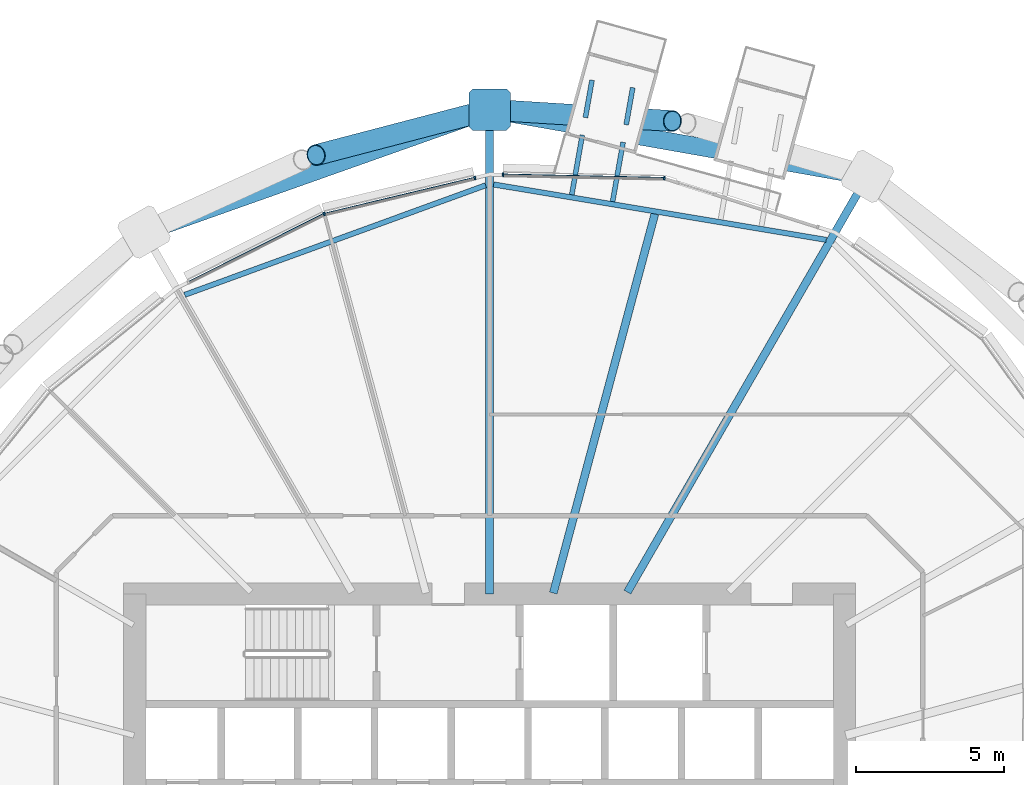
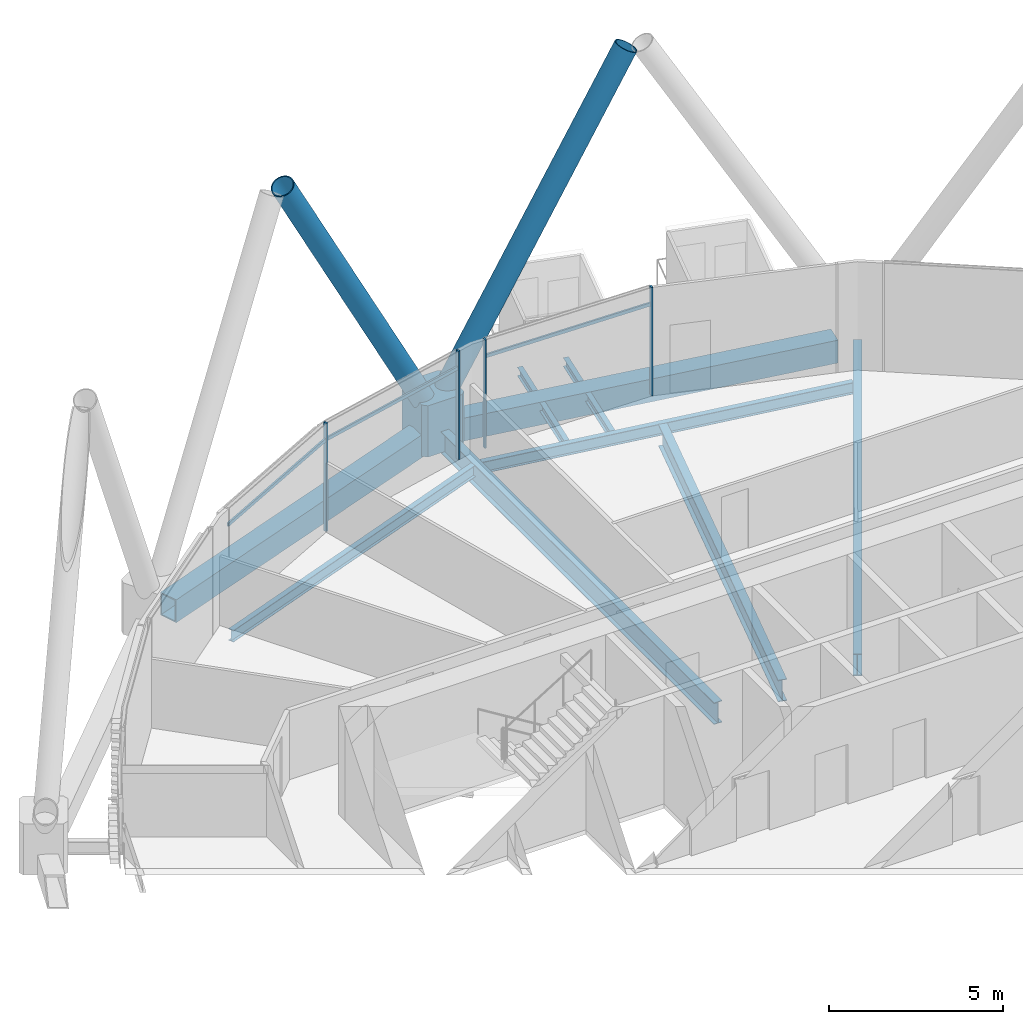
# One storey, part 19 of 38: 11 beams, 10 members, 1 element without a shape of its own.
"""IFC4 building model written with IfcOpenShell, lengths in metres."""

from ifc_helpers import new_model, si_unit, direction, frame, origin, origin_2d, place, context, subcontext, project, spatial, polyline, rectangle, hollow_rectangle, hollow_circle, i_section, outline, extrude, material, material_profile, profile_set, type_object, element, aggregate, save


model = new_model("IFC4")

# Units and contexts
model_context = context("Model", 3, precision=1e-05, world=origin(), true_north=direction((0.0, 1.0)))
body_context = subcontext(model_context, "Body", "Model", "MODEL_VIEW")
ifc_project = project(units=[si_unit("LENGTHUNIT", "METRE"), si_unit("AREAUNIT", "SQUARE_METRE"), si_unit("VOLUMEUNIT", "CUBIC_METRE"), si_unit("PLANEANGLEUNIT", "RADIAN"), si_unit("MASSUNIT", "GRAM", prefix="KILO")], contexts=[model_context])

# Site, building, storey
site_placement = place(None, origin())
site = spatial("IfcSite", under=ifc_project, at=site_placement, CompositionType="ELEMENT")
building_placement = place(site_placement, origin())
building = spatial("IfcBuilding", under=site, at=building_placement, Name="Rimbun Link Towers", CompositionType="ELEMENT")
storey_placement = place(building_placement, frame((0.0, 0.0, 93.0)))
storey = spatial("IfcBuildingStorey", under=building, at=storey_placement, Name="L22", CompositionType="ELEMENT", Elevation=93.0)

# Curtain wall, members
ifc_material_1 = material(Name="Aluminium 6063-T6 and low-iron glass", Category="aluminium")
curtain_wall_type = type_object("IfcCurtainWallType", Name="CW1-Z2 unitised vision wall (zone 2)", PredefinedType="NOTDEFINED", material=ifc_material_1)
curtain_wall_placement = place(storey_placement, origin())
curtain_wall = element("IfcCurtainWall", 1, at=curtain_wall_placement, inside=storey, type_object=curtain_wall_type, Name="CW1 L22 T2", PredefinedType="NOTDEFINED")
ifc_material_2 = material(Name="Aluminium 6063-T6", Category="aluminium")
ifc_material_profile_1 = material_profile(ifc_material_2, rectangle(XDim=0.1201171875, YDim=0.06005859375, at=origin_2d()), Name="MULLION 60X120")
ifc_profile_set_1 = profile_set([ifc_material_profile_1], Name="Aluminium 6063-T6")
member_type_1 = type_object("IfcMemberType", Name="CW1 mullion 60X120", PredefinedType="MULLION", material=ifc_profile_set_1)
member_1_placement = place(storey_placement, frame((37.656005859375, 22.06396484375, 0.0), z_axis=(0.0, 0.0, 1.0), x_axis=(0.16374422533, 0.986502827503, 0.0)))
member_1 = element("IfcMember", 2, at=member_1_placement, type_object=member_type_1, Name="CW1 mullion", PredefinedType="MULLION", context=body_context, shape_type="SweptSolid", body=[
    extrude(rectangle(XDim=0.1201171875, YDim=0.06005859375, at=origin_2d()), origin(), (0.0, 0.0, 1.0), 3.800048828125),
])
member_2_placement = place(storey_placement, frame((32.201171875, 22.179443359375, 0.0), z_axis=(0.0, 0.0, 1.0), x_axis=(0.021059742681, 0.999778219026, 0.0)))
member_2 = element("IfcMember", 3, at=member_2_placement, type_object=member_type_1, Name="CW1 mullion", PredefinedType="MULLION", context=body_context, shape_type="SweptSolid", body=[
    extrude(rectangle(XDim=0.1201171875, YDim=0.06005859375, at=origin_2d()), origin(), (0.0, 0.0, 1.0), 3.800048828125),
])
member_3_placement = place(storey_placement, frame((26.156982421875, 20.8525390625, 0.0), z_axis=(0.0, 0.0, 1.0), x_axis=(-0.34296997, 0.939346368321, 0.0)))
member_3 = element("IfcMember", 4, at=member_3_placement, type_object=member_type_1, Name="CW1 mullion", PredefinedType="MULLION", context=body_context, shape_type="SweptSolid", body=[
    extrude(rectangle(XDim=0.1201171875, YDim=0.06005859375, at=origin_2d()), origin(), (0.0, 0.0, 1.0), 3.800048828125),
])
member_4_placement = place(storey_placement, frame((31.249755859375, 22.071044921875, 0.0), z_axis=(0.0, 0.0, 1.0), x_axis=(-0.232601207201, 0.972572197016, 0.0)))
member_4 = element("IfcMember", 5, at=member_4_placement, type_object=member_type_1, Name="CW1 mullion", PredefinedType="MULLION", context=body_context, shape_type="SweptSolid", body=[
    extrude(rectangle(XDim=0.1201171875, YDim=0.06005859375, at=origin_2d()), origin(), (0.0, 0.0, 1.0), 3.800048828125),
])
ifc_material_3 = material(Name="Aluminium 6063-T6", Category="aluminium")
ifc_material_profile_2 = material_profile(ifc_material_3, rectangle(XDim=0.06005859375, YDim=0.1201171875, at=origin_2d()), Name="TRANSOM 60X120")
ifc_profile_set_2 = profile_set([ifc_material_profile_2], Name="Aluminium 6063-T6")
member_type_2 = type_object("IfcMemberType", Name="CW1 transom 60X120", PredefinedType="USERDEFINED", material=ifc_profile_set_2)
member_5_placement = place(storey_placement, frame((32.231201171875, 22.1767578125, 3.199951171875), z_axis=(0.999778908443, -0.021026988193, 0.0), x_axis=(0.021026988193, 0.999778908443, 0.0)))
member_5 = element("IfcMember", 6, at=member_5_placement, type_object=member_type_2, Name="CW1 transom", ObjectType="TRANSOM", PredefinedType="USERDEFINED", context=body_context, shape_type="SweptSolid", body=[
    extrude(rectangle(XDim=0.06005859375, YDim=0.1201171875, at=origin_2d()), origin(), (0.0, 0.0, 1.0), 5.387451171875),
])
member_6_placement = place(storey_placement, frame((26.193359375, 20.859619140625, 3.199951171875), z_axis=(0.972572620935, 0.232599434667, 0.0), x_axis=(-0.232599434667, 0.972572620935, 0.0)))
member_6 = element("IfcMember", 7, at=member_6_placement, type_object=member_type_2, Name="CW1 transom", ObjectType="TRANSOM", PredefinedType="USERDEFINED", context=body_context, shape_type="SweptSolid", body=[
    extrude(rectangle(XDim=0.06005859375, YDim=0.1201171875, at=origin_2d()), origin(), (0.0, 0.0, 1.0), 5.16943359375),
])
member_7_placement = place(storey_placement, frame((21.592529296875, 18.55859375, 3.199951171875), z_axis=(0.893636331948, 0.448791829495, 0.0), x_axis=(-0.448791829495, 0.893636331948, 0.0)))
member_7 = element("IfcMember", 8, at=member_7_placement, type_object=member_type_2, Name="CW1 transom", ObjectType="TRANSOM", PredefinedType="USERDEFINED", context=body_context, shape_type="SweptSolid", body=[
    extrude(rectangle(XDim=0.06005859375, YDim=0.1201171875, at=origin_2d()), origin(), (0.0, 0.0, 1.0), 5.07177734375),
])
aggregate(curtain_wall, [member_1, member_2, member_3, member_4, member_5, member_6, member_7])

# Beams
ifc_material_4 = material(Name="Steel S355J2", Category="steel")
ifc_material_profile_3 = material_profile(ifc_material_4, i_section(OverallWidth=0.1650390625, OverallDepth=0.303466796875, WebThickness=0.006103515625, FlangeThickness=0.01025390625, at=origin_2d()), Name="UB 305x165x40")
ifc_profile_set_3 = profile_set([ifc_material_profile_3], Name="Steel S355J2")
beam_type_1 = type_object("IfcBeamType", Name="Capsule bracket beam UB 305x165x40", PredefinedType="BEAM", material=ifc_profile_set_3)
beam_1_placement = place(storey_placement, frame((34.527099609375, 21.499755859375, -0.311767578125), z_axis=(0.173900687473, 0.98476319534, 0.0), x_axis=(-0.98476319534, 0.173900687473, 0.0)))
element("IfcBeam", 9, at=beam_1_placement, inside=storey, type_object=beam_type_1, Name="Capsule D222.01 bracket beam 1", PredefinedType="BEAM", context=body_context, shape_type="SweptSolid", body=[
    extrude(i_section(OverallWidth=0.1650390625, OverallDepth=0.303466796875, WebThickness=0.006103515625, FlangeThickness=0.01025390625, at=origin_2d()), origin(), (0.0, 0.0, 1.0), 2.052490234375),
])
beam_2_placement = place(storey_placement, frame((34.98828125, 24.112060546875, -0.311767578125), z_axis=(0.173959052668, 0.984752886766, 0.0), x_axis=(-0.984752886766, 0.173959052668, 0.0)))
element("IfcBeam", 10, at=beam_2_placement, inside=storey, type_object=beam_type_1, Name="Capsule D222.01 bracket beam 2", PredefinedType="BEAM", context=body_context, shape_type="SweptSolid", body=[
    extrude(i_section(OverallWidth=0.1650390625, OverallDepth=0.303466796875, WebThickness=0.006103515625, FlangeThickness=0.01025390625, at=origin_2d()), origin(), (0.0, 0.0, 1.0), 1.28271484375),
])
beam_3_placement = place(storey_placement, frame((35.908203125, 21.269775390625, -0.311767578125), z_axis=(0.173867305246, 0.98476908977, 0.0), x_axis=(-0.98476908977, 0.173867305246, 0.0)))
element("IfcBeam", 11, at=beam_3_placement, inside=storey, type_object=beam_type_1, Name="Capsule D222.01 bracket beam 3", PredefinedType="BEAM", context=body_context, shape_type="SweptSolid", body=[
    extrude(i_section(OverallWidth=0.1650390625, OverallDepth=0.303466796875, WebThickness=0.006103515625, FlangeThickness=0.01025390625, at=origin_2d()), origin(), (0.0, 0.0, 1.0), 2.038818359375),
])
beam_4_placement = place(storey_placement, frame((36.366943359375, 23.86865234375, -0.311767578125), z_axis=(0.173960201726, 0.984752683782, 0.0), x_axis=(-0.984752683782, 0.173960201726, 0.0)))
element("IfcBeam", 12, at=beam_4_placement, inside=storey, type_object=beam_type_1, Name="Capsule D222.01 bracket beam 4", PredefinedType="BEAM", context=body_context, shape_type="SweptSolid", body=[
    extrude(i_section(OverallWidth=0.1650390625, OverallDepth=0.303466796875, WebThickness=0.006103515625, FlangeThickness=0.01025390625, at=origin_2d()), origin(), (0.0, 0.0, 1.0), 1.2744140625),
])

# Members
ifc_material_5 = material(Name="Steel S460NH", Category="steel")
ifc_material_profile_4 = material_profile(ifc_material_5, hollow_circle(Radius=0.355712890625, WallThickness=0.031982421875, at=origin_2d()), Name="Diagrid diagonal CHS 711x32")
ifc_profile_set_4 = profile_set([ifc_material_profile_4], Name="Steel S460NH")
member_type_3 = type_object("IfcMemberType", Name="Diagrid diagonal CHS 711x32", PredefinedType="BRACE", material=ifc_profile_set_4)
member_8_placement = place(storey_placement, frame((31.995361328125, 24.36376953125, 0.435302734375), z_axis=(0.490777024957, -0.030486807129, 0.870751667449), x_axis=(0.061999958429, 0.998076151982, 0.0)))
element("IfcMember", 13, at=member_8_placement, inside=storey, type_object=member_type_3, Name="Diagrid diagonal T2 L22-L25 03a", PredefinedType="BRACE", context=body_context, shape_type="SweptSolid", body=[
    extrude(hollow_circle(Radius=0.355712890625, WallThickness=0.031982421875, at=origin_2d()), origin(), (0.0, 0.0, 1.0), 12.09228515625),
])
member_9_placement = place(storey_placement, frame((31.515625, 24.317626953125, 0.4375), z_axis=(-0.468494566533, -0.122542461997, 0.874926388982), x_axis=(0.253053090902, -0.96745239324, 0.0)))
element("IfcMember", 14, at=member_9_placement, inside=storey, type_object=member_type_3, Name="Diagrid diagonal T2 L22-L25 03b", PredefinedType="BRACE", context=body_context, shape_type="SweptSolid", body=[
    extrude(hollow_circle(Radius=0.355712890625, WallThickness=0.031982421875, at=origin_2d()), origin(), (0.0, 0.0, 1.0), 12.029541015625),
])
ifc_material_6 = material(Name="Cast steel G20Mn5+QT, Rp0.2 300 MPa", Category="steel")
ifc_material_profile_5 = material_profile(ifc_material_6, outline(polyline([(0.699951171875, -0.570068359375), (0.699951171875, 0.570068359375), (0.570068359375, 0.699951171875), (-0.570068359375, 0.699951171875), (-0.699951171875, 0.570068359375), (-0.699951171875, -0.570068359375), (-0.570068359375, -0.699951171875), (0.570068359375, -0.699951171875), (0.699951171875, -0.570068359375)])), Name="NODE 1400x1400")
ifc_profile_set_5 = profile_set([ifc_material_profile_5], Name="Cast steel G20Mn5+QT, Rp0.2 300 MPa")
member_type_4 = type_object("IfcMemberType", Name="Diagrid node cast 1400", PredefinedType="USERDEFINED", material=ifc_profile_set_5)
member_10_placement = place(storey_placement, frame((31.75, 24.37890625, -0.89990234375), z_axis=(0.0, 0.0, 1.0), x_axis=(0.0, 1.0, 0.0)))
element("IfcMember", 15, at=member_10_placement, inside=storey, type_object=member_type_4, Name="Diagrid node L22 03", ObjectType="Diagrid node", PredefinedType="USERDEFINED", context=body_context, shape_type="SweptSolid", body=[
    extrude(outline(polyline([(0.699951171875, -0.570068359375), (0.699951171875, 0.570068359375), (0.570068359375, 0.699951171875), (-0.570068359375, 0.699951171875), (-0.699951171875, 0.570068359375), (-0.699951171875, -0.570068359375), (-0.570068359375, -0.699951171875), (0.570068359375, -0.699951171875), (0.699951171875, -0.570068359375)])), origin(), (0.0, 0.0, 1.0), 1.7998046875),
])

# Beams
ifc_material_7 = material(Name="Steel S355J2", Category="steel")
ifc_material_profile_6 = material_profile(ifc_material_7, hollow_rectangle(XDim=0.60009765625, YDim=0.800048828125, WallThickness=0.0400390625, at=origin_2d()), Name="Exoskeleton ring girder BOX 600x800x40")
ifc_profile_set_6 = profile_set([ifc_material_profile_6], Name="Steel S355J2")
beam_type_2 = type_object("IfcBeamType", Name="Exoskeleton ring girder BOX 600x800x40", PredefinedType="BEAM", material=ifc_profile_set_6)
beam_5_placement = place(storey_placement, frame((43.833984375, 22.24560546875, -0.56005859375), z_axis=(-0.984770599089, 0.173858756379, 0.0), x_axis=(-0.173858756379, -0.984770599089, 0.0)))
element("IfcBeam", 16, at=beam_5_placement, inside=storey, type_object=beam_type_2, Name="Exoskeleton ring girder L22 00", PredefinedType="BEAM", context=body_context, shape_type="SweptSolid", body=[
    extrude(hollow_rectangle(XDim=0.60009765625, YDim=0.800048828125, WallThickness=0.0400390625, at=origin_2d()), origin(), (0.0, 0.0, 1.0), 11.571044921875),
])
beam_6_placement = place(storey_placement, frame((31.090087890625, 24.145263671875, -0.56005859375), z_axis=(-0.942614706943, -0.333882485697, 0.0), x_axis=(0.333882485697, -0.942614706943, 0.0)))
element("IfcBeam", 17, at=beam_6_placement, inside=storey, type_object=beam_type_2, Name="Exoskeleton ring girder L22 01", PredefinedType="BEAM", context=body_context, shape_type="SweptSolid", body=[
    extrude(hollow_rectangle(XDim=0.60009765625, YDim=0.800048828125, WallThickness=0.0400390625, at=origin_2d()), origin(), (0.0, 0.0, 1.0), 10.996826171875),
])
ifc_material_8 = material(Name="Steel S355J2", Category="steel")
ifc_material_profile_7 = material_profile(ifc_material_8, i_section(OverallWidth=0.177978515625, OverallDepth=0.406494140625, WebThickness=0.0078125, FlangeThickness=0.0126953125, at=origin_2d()), Name="UB 406x178x60")
ifc_profile_set_7 = profile_set([ifc_material_profile_7], Name="Steel S355J2")
beam_type_3 = type_object("IfcBeamType", Name="UB 406x178x60", PredefinedType="BEAM", material=ifc_profile_set_7)
beam_7_placement = place(storey_placement, frame((43.12890625, 19.977294921875, -0.36328125), z_axis=(-0.986419380736, 0.164246172888, 0.0), x_axis=(-0.164246172888, -0.986419380736, 0.0)))
element("IfcBeam", 18, at=beam_7_placement, inside=storey, type_object=beam_type_3, Name="Edge beam T2 L22 01-03", PredefinedType="BEAM", context=body_context, shape_type="SweptSolid", body=[
    extrude(i_section(OverallWidth=0.177978515625, OverallDepth=0.406494140625, WebThickness=0.0078125, FlangeThickness=0.0126953125, at=origin_2d()), origin(), (0.0, 0.0, 1.0), 11.3994140625),
])
beam_8_placement = place(storey_placement, frame((31.61572265625, 21.822998046875, -0.36328125), z_axis=(-0.939628792314, -0.342195459722, 0.0), x_axis=(0.342195459722, -0.939628792314, 0.0)))
element("IfcBeam", 19, at=beam_8_placement, inside=storey, type_object=beam_type_3, Name="Edge beam T2 L22 03-05", PredefinedType="BEAM", context=body_context, shape_type="SweptSolid", body=[
    extrude(i_section(OverallWidth=0.177978515625, OverallDepth=0.406494140625, WebThickness=0.0078125, FlangeThickness=0.0126953125, at=origin_2d()), origin(), (0.0, 0.0, 1.0), 10.83154296875),
])
ifc_material_9 = material(Name="Steel S355J2", Category="steel")
ifc_material_profile_8 = material_profile(ifc_material_9, i_section(OverallWidth=0.2666015625, OverallDepth=0.76220703125, WebThickness=0.014404296875, FlangeThickness=0.021484375, at=origin_2d()), Name="UB 762x267x173")
ifc_profile_set_8 = profile_set([ifc_material_profile_8], Name="Steel S355J2")
beam_type_4 = type_object("IfcBeamType", Name="UB 762x267x173", PredefinedType="BEAM", material=ifc_profile_set_8)
beam_9_placement = place(storey_placement, frame((36.40771484375, 8.0673828125, -0.541015625), z_axis=(0.499996511319, 0.866027417966, 0.0), x_axis=(-0.866027417966, 0.499996511319, 0.0)))
element("IfcBeam", 20, at=beam_9_placement, inside=storey, type_object=beam_type_4, Name="Radial beam T2 L22 01", PredefinedType="BEAM", context=body_context, shape_type="SweptSolid", body=[
    extrude(i_section(OverallWidth=0.2666015625, OverallDepth=0.76220703125, WebThickness=0.014404296875, FlangeThickness=0.021484375, at=origin_2d()), origin(), (0.0, 0.0, 1.0), 15.73095703125),
])
beam_10_placement = place(storey_placement, frame((33.903076171875, 8.035400390625, -0.541015625), z_axis=(0.258820400429, 0.965925463129, 0.0), x_axis=(-0.965925463129, 0.258820400429, 0.0)))
element("IfcBeam", 21, at=beam_10_placement, inside=storey, type_object=beam_type_4, Name="Radial beam T2 L22 02", PredefinedType="BEAM", context=body_context, shape_type="SweptSolid", body=[
    extrude(i_section(OverallWidth=0.2666015625, OverallDepth=0.76220703125, WebThickness=0.014404296875, FlangeThickness=0.021484375, at=origin_2d()), origin(), (0.0, 0.0, 1.0), 13.267333984375),
])
beam_11_placement = place(storey_placement, frame((31.75, 8.0009765625, -0.541015625), z_axis=(0.0, 1.0, 0.0), x_axis=(-1.0, 0.0, 0.0)))
element("IfcBeam", 22, at=beam_11_placement, inside=storey, type_object=beam_type_4, Name="Radial beam T2 L22 03", PredefinedType="BEAM", context=body_context, shape_type="SweptSolid", body=[
    extrude(i_section(OverallWidth=0.2666015625, OverallDepth=0.76220703125, WebThickness=0.014404296875, FlangeThickness=0.021484375, at=origin_2d()), origin(), (0.0, 0.0, 1.0), 15.8779296875),
])

save(model, "model.ifc")
